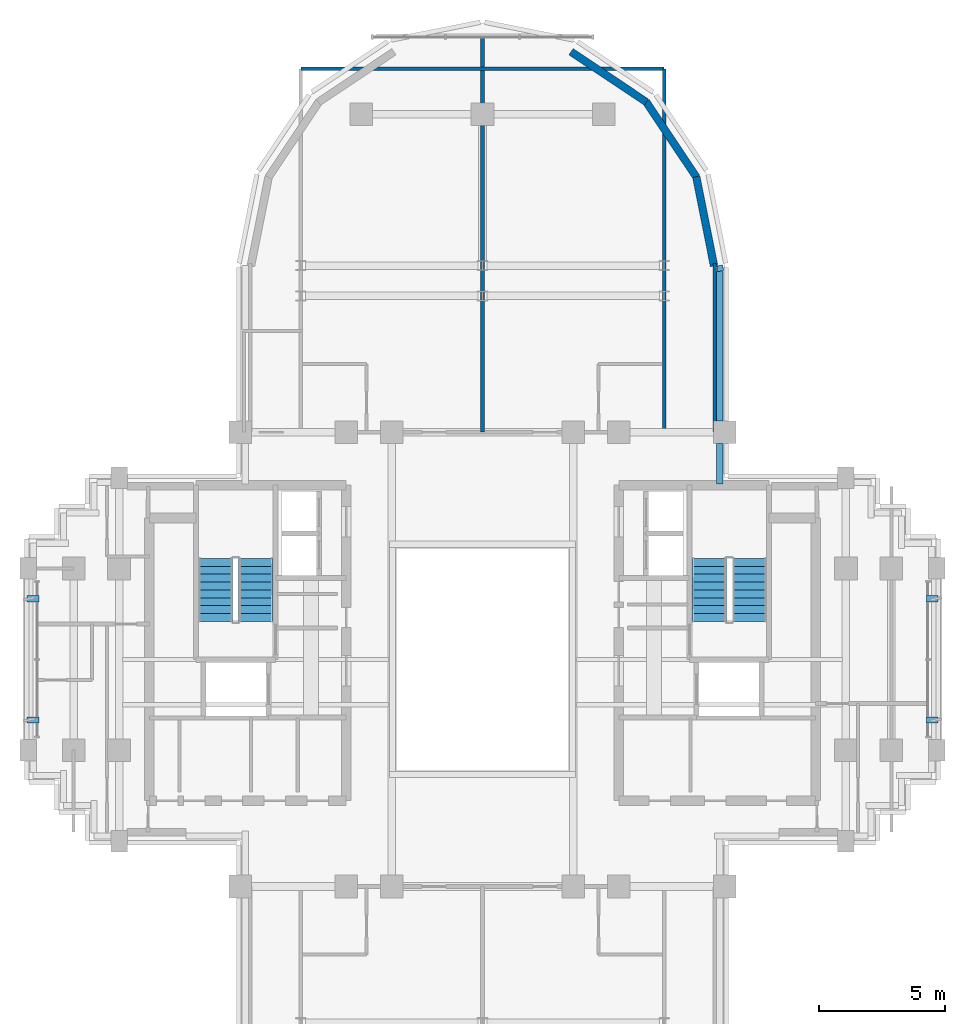
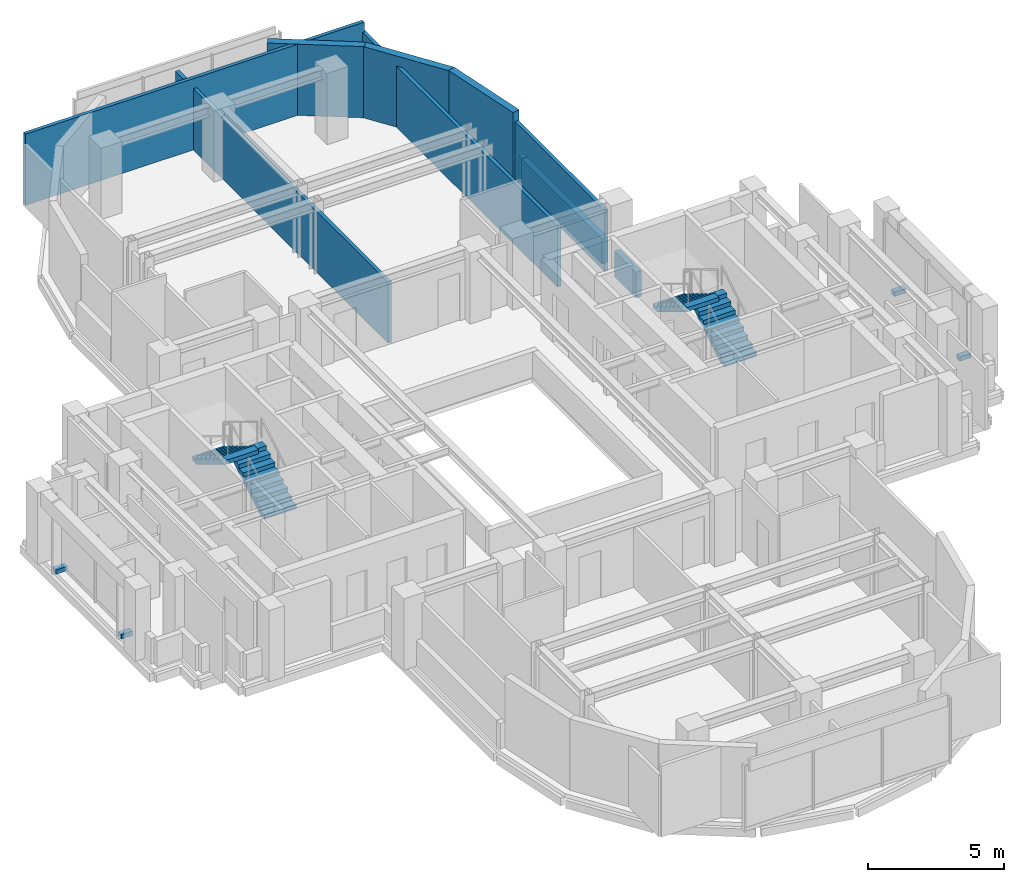
# One storey, part 9 of 12: 10 walls, 4 discrete accessories, 4 stair flights, 2 elements without a shape of their own.
"""IFC4 building model written with IfcOpenShell, lengths in metres."""

from ifc_helpers import new_model, si_unit, direction, frame, frame_2d, origin, origin_2d, place, context, subcontext, project, spatial, polyline, rectangle, outline, extrude, source, transform, mapped, material, layer, layer_set, type_object, element, aggregate, save


model = new_model("IFC4")

# Units and contexts
model_context = context("Model", 3, precision=1e-05, world=origin(), true_north=direction((0.0, 1.0)))
body_context = subcontext(model_context, "Body", "Model", "MODEL_VIEW")
ifc_project = project(units=[si_unit("LENGTHUNIT", "METRE"), si_unit("AREAUNIT", "SQUARE_METRE"), si_unit("VOLUMEUNIT", "CUBIC_METRE"), si_unit("PLANEANGLEUNIT", "RADIAN"), si_unit("MASSUNIT", "GRAM", prefix="KILO")], contexts=[model_context])

# Site, building, storey
site_placement = place(None, origin())
site = spatial("IfcSite", under=ifc_project, at=site_placement, CompositionType="ELEMENT")
building_placement = place(site_placement, origin())
building = spatial("IfcBuilding", under=site, at=building_placement, Name="Keilestroom Media Tower", CompositionType="ELEMENT")
storey_placement = place(building_placement, frame((0.0, 0.0, 191.0)))
storey = spatial("IfcBuildingStorey", under=building, at=storey_placement, Name="L52", CompositionType="ELEMENT", Elevation=191.0)

# Walls
ifc_material_1 = material(Name="Precast concrete C40/50", Category="concrete")
ifc_layer_1 = layer(ifc_material_1, 0.300048828125)
ifc_layer_set_1 = layer_set([ifc_layer_1], Name="Precast concrete C40/50")
wall_type_1 = type_object("IfcWallType", Name="Exterior-Masonry-Spandrel-Wall-300", PredefinedType="SOLIDWALL", material=ifc_layer_set_1)
for number, where, z_axis, x_axis, name in (
    (1, (9.1748046875, 15.585205078125, 0.0), (0.0, 0.0, 1.0), (-0.195114232679, 0.980780523974, 0.0), "L52 Lobe Facet Precast Frame Wall 01"),
    (2, (8.48193359375, 19.097412109375, 0.0), (0.0, 0.0, 1.0), (-0.555574187116, 0.831466970246, 0.0), "L52 Lobe Facet Precast Frame Wall 02"),
):
    element("IfcWall", number, at=place(storey_placement, frame(where, z_axis=z_axis, x_axis=x_axis)), inside=storey, type_object=wall_type_1, Name=name, PredefinedType="SOLIDWALL", context=body_context, shape_type="SweptSolid", body=[
        extrude(rectangle(XDim=3.608642578125, YDim=0.300048828125, at=frame_2d((1.80419921875, 0.0))), origin(), (0.0, 0.0, 1.0), 3.199951171875),
    ])
wall_1_placement = place(storey_placement, frame((6.497802734375, 22.0771484375, 0.0), z_axis=(0.0, 0.0, 1.0), x_axis=(-0.8314749531, 0.555562239868, 0.0)))
element("IfcWall", 3, at=wall_1_placement, inside=storey, type_object=wall_type_1, Name="L52 Lobe Facet Precast Frame Wall 03", PredefinedType="SOLIDWALL", context=body_context, shape_type="SweptSolid", body=[
    extrude(rectangle(XDim=3.59326171875, YDim=0.300048828125, at=frame_2d((1.796630859375, 0.0))), origin(), (0.0, 0.0, 1.0), 3.199951171875),
])
ifc_material_2 = material(Name="Gypsum Plasterboard & Steel Stud", Category="steel")
ifc_layer_2 = layer(ifc_material_2, 0.14990234375)
ifc_layer_set_2 = layer_set([ifc_layer_2], Name="Gypsum Plasterboard & Steel Stud")
wall_type_2 = type_object("IfcWallType", Name="Interior-Partition-Wall-150", PredefinedType="PARTITIONING", material=ifc_layer_set_2)
wall_2_placement = place(storey_placement, frame((9.199951171875, 9.0, 0.0), z_axis=(0.0, 0.0, 1.0), x_axis=(0.0, 1.0, 0.0)))
element("IfcWall", 4, at=wall_2_placement, inside=storey, type_object=wall_type_2, Name="L52 Interior Wall WP-L52-NL-CHKE", PredefinedType="PARTITIONING", context=body_context, shape_type="SweptSolid", body=[
    extrude(rectangle(XDim=6.679931640625, YDim=0.14990234375, at=frame_2d((3.33984375, 0.0))), origin(), (0.0, 0.0, 1.0), 2.75),
])
wall_3_placement = place(storey_placement, frame((0.0, 9.0, 0.0), z_axis=(0.0, 0.0, 1.0), x_axis=(0.0, 1.0, 0.0)))
element("IfcWall", 5, at=wall_3_placement, inside=storey, type_object=wall_type_2, Name="L52 Interior Wall WP-L52-H306-NV-0", PredefinedType="PARTITIONING", context=body_context, shape_type="SweptSolid", body=[
    extrude(rectangle(XDim=15.64990234375, YDim=0.14990234375, at=frame_2d((7.824951171875, 0.0))), origin(), (0.0, 0.0, 1.0), 2.75),
])
wall_4_placement = place(storey_placement, frame((7.199951171875, 9.0, 0.0), z_axis=(0.0, 0.0, 1.0), x_axis=(0.0, 1.0, 0.0)))
element("IfcWall", 6, at=wall_4_placement, inside=storey, type_object=wall_type_2, Name="L52 Interior Wall WP-L52-H306-NV-72", PredefinedType="PARTITIONING", context=body_context, shape_type="SweptSolid", body=[
    extrude(rectangle(XDim=14.39990234375, YDim=0.14990234375, at=frame_2d((7.199951171875, 0.0))), origin(), (0.0, 0.0, 1.0), 2.75),
])
wall_5_placement = place(storey_placement, frame((-7.199951171875, 23.39990234375, 0.0), z_axis=(0.0, 0.0, 1.0), x_axis=(1.0, 0.0, 0.0)))
element("IfcWall", 7, at=wall_5_placement, inside=storey, type_object=wall_type_2, Name="L52 Interior Wall WP-L52-H306-NTIP", PredefinedType="PARTITIONING", context=body_context, shape_type="SweptSolid", body=[
    extrude(rectangle(XDim=14.39990234375, YDim=0.14990234375, at=frame_2d((7.199951171875, 0.0))), origin(), (0.0, 0.0, 1.0), 3.199951171875),
])
ifc_layer_3 = layer(ifc_material_1, 0.239990234375)
ifc_layer_set_3 = layer_set([ifc_layer_3], Name="Precast concrete C40/50")
wall_type_3 = type_object("IfcWallType", Name="Roof-And-Terrace-Parapet-Wall-240", PredefinedType="PARAPET", material=ifc_layer_set_3)
wall_6_placement = place(storey_placement, frame((9.395263671875, 15.604248046875, 0.0), z_axis=(0.0, 0.0, 1.0), x_axis=(0.194652052864, -0.980872355771, 0.0)))
element("IfcWall", 8, at=wall_6_placement, inside=storey, type_object=wall_type_3, Name="L52 Perimeter Edge Parapet Wall 29", PredefinedType="PARAPET", context=body_context, shape_type="SweptSolid", body=[
    extrude(rectangle(XDim=0.224609375, YDim=0.239990234375, at=frame_2d((0.1123046875, 0.0))), origin(), (0.0, 0.0, 1.0), 1.14990234375),
])
wall_7_placement = place(storey_placement, frame((9.39990234375, 15.357666015625, 0.0), z_axis=(0.0, 0.0, 1.0), x_axis=(0.0, -1.0, 0.0)))
element("IfcWall", 9, at=wall_7_placement, inside=storey, type_object=wall_type_3, Name="L52 Perimeter Edge Parapet Wall 30", PredefinedType="PARAPET", context=body_context, shape_type="SweptSolid", body=[
    extrude(rectangle(XDim=5.90478515625, YDim=0.239990234375, at=frame_2d((2.952392578125, 0.0))), origin(), (0.0, 0.0, 1.0), 1.14990234375),
])
wall_8_placement = place(storey_placement, frame((9.39990234375, 8.547119140625, 0.0), z_axis=(0.0, 0.0, 1.0), x_axis=(0.0, -1.0, 0.0)))
element("IfcWall", 10, at=wall_8_placement, inside=storey, type_object=wall_type_3, Name="L52 Perimeter Edge Parapet Wall 31", PredefinedType="PARAPET", context=body_context, shape_type="SweptSolid", body=[
    extrude(rectangle(XDim=1.59423828125, YDim=0.239990234375, at=frame_2d((0.797119140625, 0.0))), origin(), (0.0, 0.0, 1.0), 1.14990234375),
])

# Stair, stair flights
ifc_material_3 = material(Name="Concrete C45/55", Category="concrete")
stair_type = type_object("IfcStairType", Name="Enclosed-Dog-Leg-Stair-ST-CORE", PredefinedType="HALF_TURN_STAIR", material=ifc_material_3)
stair_1_placement = place(storey_placement, origin())
stair_1 = element("IfcStair", 11, at=stair_1_placement, inside=storey, type_object=stair_type, Name="L52 West Core Escape Stair ST-1", PredefinedType="HALF_TURN_STAIR")
stair_flight_type = type_object("IfcStairFlightType", Name="Precast-Concrete-Stair-Flight-Core-160", PredefinedType="STRAIGHT", material=ifc_material_1)
stair_flight_1_placement = place(storey_placement, frame((-8.97998046875, 1.5, 0.0), z_axis=(0.0, 0.0, 1.0), x_axis=(0.0, 1.0, 0.0)))
stair_flight_1 = element("IfcStairFlight", 12, at=stair_flight_1_placement, type_object=stair_flight_type, Name="ST-1 flight 1", NumberOfRisers=9, NumberOfTreads=8, PredefinedType="STRAIGHT", RiserHeight=0.188888889, TreadLength=0.312, context=body_context, shape_type="SweptSolid", body=[
    extrude(outline(polyline([(0.0, 0.0), (0.0, 0.18896484375), (0.31201171875, 0.18896484375), (0.31201171875, 0.377685546875), (0.6240234375, 0.377685546875), (0.6240234375, 0.566650390625), (0.93603515625, 0.566650390625), (0.93603515625, 0.755615234375), (1.248046875, 0.755615234375), (1.248046875, 0.9443359375), (1.56005859375, 0.9443359375), (1.56005859375, 1.13330078125), (1.8720703125, 1.13330078125), (1.8720703125, 1.322265625), (2.18408203125, 1.322265625), (2.18408203125, 1.51123046875), (2.49609375, 1.51123046875), (2.49609375, 1.699951171875), (2.49609375, 1.32421875), (0.308837890625, 0.0), (0.0, 0.0)])), frame((0.0, 0.68017578125, 0.0), z_axis=(0.0, -1.0, 0.0), x_axis=(1.0, 0.0, 0.0)), (0.0, 0.0, 1.0), 1.360107421875),
])
stair_flight_2_placement = place(storey_placement, frame((-10.580078125, 3.99609375, 1.699951171875), z_axis=(0.0, 0.0, 1.0), x_axis=(0.0, -1.0, 0.0)))
stair_flight_2 = element("IfcStairFlight", 13, at=stair_flight_2_placement, type_object=stair_flight_type, Name="ST-1 flight 2", NumberOfRisers=9, NumberOfTreads=8, PredefinedType="STRAIGHT", RiserHeight=0.188888889, TreadLength=0.312, context=body_context, shape_type="SweptSolid", body=[
    extrude(outline(polyline([(0.0, 0.0), (0.0, 0.18896484375), (0.31201171875, 0.18896484375), (0.31201171875, 0.377685546875), (0.6240234375, 0.377685546875), (0.6240234375, 0.566650390625), (0.93603515625, 0.566650390625), (0.93603515625, 0.755615234375), (1.248046875, 0.755615234375), (1.248046875, 0.9443359375), (1.56005859375, 0.9443359375), (1.56005859375, 1.13330078125), (1.8720703125, 1.13330078125), (1.8720703125, 1.322265625), (2.18408203125, 1.322265625), (2.18408203125, 1.51123046875), (2.49609375, 1.51123046875), (2.49609375, 1.699951171875), (2.49609375, 1.32421875), (0.308837890625, 0.0), (0.0, 0.0)])), frame((0.0, 0.68017578125, 0.0), z_axis=(0.0, -1.0, 0.0), x_axis=(1.0, 0.0, 0.0)), (0.0, 0.0, 1.0), 1.360107421875),
])
aggregate(stair_1, [stair_flight_1, stair_flight_2])

stair_2_placement = place(storey_placement, origin())
stair_2 = element("IfcStair", 14, at=stair_2_placement, inside=storey, type_object=stair_type, Name="L52 East Core Escape Stair ST-2", PredefinedType="HALF_TURN_STAIR")
stair_flight_3_placement = place(storey_placement, frame((10.580078125, 1.5, 0.0), z_axis=(0.0, 0.0, 1.0), x_axis=(0.0, 1.0, 0.0)))
stair_flight_3 = element("IfcStairFlight", 15, at=stair_flight_3_placement, type_object=stair_flight_type, Name="ST-2 flight 1", NumberOfRisers=9, NumberOfTreads=8, PredefinedType="STRAIGHT", RiserHeight=0.188888889, TreadLength=0.312, context=body_context, shape_type="SweptSolid", body=[
    extrude(outline(polyline([(0.0, 0.0), (0.0, 0.18896484375), (0.31201171875, 0.18896484375), (0.31201171875, 0.377685546875), (0.6240234375, 0.377685546875), (0.6240234375, 0.566650390625), (0.93603515625, 0.566650390625), (0.93603515625, 0.755615234375), (1.248046875, 0.755615234375), (1.248046875, 0.9443359375), (1.56005859375, 0.9443359375), (1.56005859375, 1.13330078125), (1.8720703125, 1.13330078125), (1.8720703125, 1.322265625), (2.18408203125, 1.322265625), (2.18408203125, 1.51123046875), (2.49609375, 1.51123046875), (2.49609375, 1.699951171875), (2.49609375, 1.32421875), (0.308837890625, 0.0), (0.0, 0.0)])), frame((0.0, 0.68017578125, 0.0), z_axis=(0.0, -1.0, 0.0), x_axis=(1.0, 0.0, 0.0)), (0.0, 0.0, 1.0), 1.360107421875),
])
stair_flight_4_placement = place(storey_placement, frame((8.97998046875, 3.99609375, 1.699951171875), z_axis=(0.0, 0.0, 1.0), x_axis=(0.0, -1.0, 0.0)))
stair_flight_4 = element("IfcStairFlight", 16, at=stair_flight_4_placement, type_object=stair_flight_type, Name="ST-2 flight 2", NumberOfRisers=9, NumberOfTreads=8, PredefinedType="STRAIGHT", RiserHeight=0.188888889, TreadLength=0.312, context=body_context, shape_type="SweptSolid", body=[
    extrude(outline(polyline([(0.0, 0.0), (0.0, 0.18896484375), (0.31201171875, 0.18896484375), (0.31201171875, 0.377685546875), (0.6240234375, 0.377685546875), (0.6240234375, 0.566650390625), (0.93603515625, 0.566650390625), (0.93603515625, 0.755615234375), (1.248046875, 0.755615234375), (1.248046875, 0.9443359375), (1.56005859375, 0.9443359375), (1.56005859375, 1.13330078125), (1.8720703125, 1.13330078125), (1.8720703125, 1.322265625), (2.18408203125, 1.322265625), (2.18408203125, 1.51123046875), (2.49609375, 1.51123046875), (2.49609375, 1.699951171875), (2.49609375, 1.32421875), (0.308837890625, 0.0), (0.0, 0.0)])), frame((0.0, 0.68017578125, 0.0), z_axis=(0.0, -1.0, 0.0), x_axis=(1.0, 0.0, 0.0)), (0.0, 0.0, 1.0), 1.360107421875),
])
aggregate(stair_2, [stair_flight_3, stair_flight_4])

# Discrete accessories
ifc_material_4 = material(Name="Stainless Steel 1.4401", Category="steel")
discrete_accessory_type = type_object("IfcDiscreteAccessoryType", Name="Facade-Fin-Fixing-Bracket-BRK-1", PredefinedType="BRACKET", material=ifc_material_4)
shared_shape = source(origin(), body_context, "Body", "SweptSolid", [
    extrude(rectangle(XDim=0.47998046875, YDim=0.239990234375, at=origin_2d()), origin(), (0.0, 0.0, 1.0), 0.199951171875),
])
for number, where, z_axis, x_axis, name in (
    (17, (-17.81005859375, -2.39990234375, -0.009765625), (0.0, 0.0, 1.0), (1.0, 0.0, 0.0), "L52 Sunshade Fin Bracket BRK-1 073"),
    (18, (-17.81005859375, 2.39990234375, -0.009765625), (0.0, 0.0, 1.0), (1.0, 0.0, 0.0), "L52 Sunshade Fin Bracket BRK-1 074"),
    (19, (17.81005859375, -2.39990234375, -0.009765625), (0.0, 0.0, 1.0), (1.0, 0.0, 0.0), "L52 Sunshade Fin Bracket BRK-1 075"),
    (20, (17.81005859375, 2.39990234375, -0.009765625), (0.0, 0.0, 1.0), (1.0, 0.0, 0.0), "L52 Sunshade Fin Bracket BRK-1 076"),
):
    element("IfcDiscreteAccessory", number, at=place(storey_placement, frame(where, z_axis=z_axis, x_axis=x_axis)), inside=storey, type_object=discrete_accessory_type, Name=name, PredefinedType="BRACKET", context=body_context, shape_type="MappedRepresentation", body=[
        mapped(shared_shape, transform((0.0, 0.0, 0.0), x_axis=(1.0, 0.0, 0.0), y_axis=(0.0, 1.0, 0.0), z_axis=(0.0, 0.0, 1.0), scale=1.0)),
    ])

save(model, "model.ifc")
